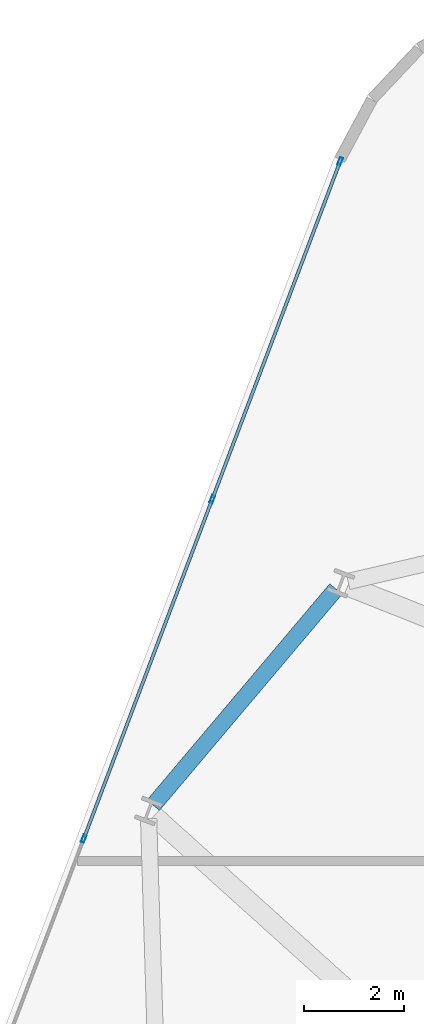
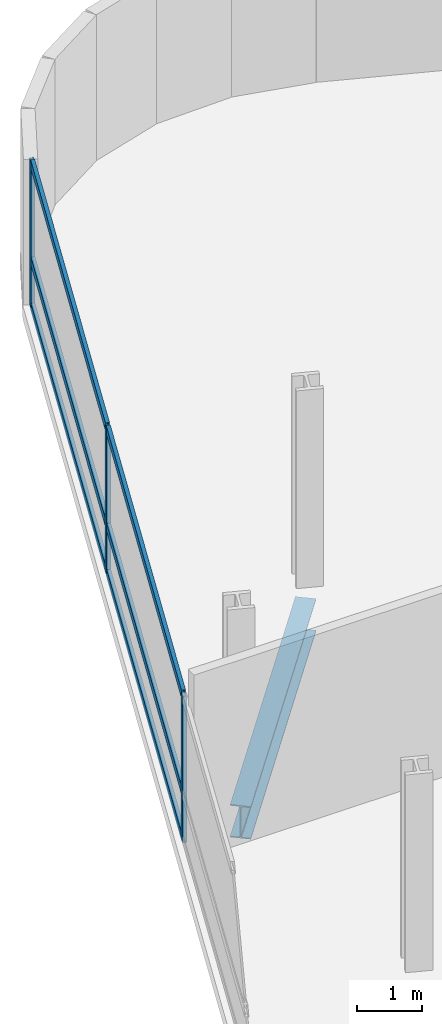
# One storey, part 8 of 24: 9 members, 1 beam, 1 element without a shape of its own.
"""IFC4 building model written with IfcOpenShell, lengths in metres."""

from ifc_helpers import new_model, si_unit, direction, frame, origin, origin_2d, place, context, subcontext, project, spatial, hollow_rectangle, i_section, extrude, material, layer, layer_set, material_profile, profile_set, type_object, element, aggregate, save


model = new_model("IFC4")

# Units and contexts
model_context = context("Model", 3, precision=1e-05, world=origin(), true_north=direction((0.0, 1.0)))
body_context = subcontext(model_context, "Body", "Model", "MODEL_VIEW")
ifc_project = project(units=[si_unit("LENGTHUNIT", "METRE"), si_unit("AREAUNIT", "SQUARE_METRE"), si_unit("VOLUMEUNIT", "CUBIC_METRE"), si_unit("PLANEANGLEUNIT", "RADIAN"), si_unit("MASSUNIT", "GRAM", prefix="KILO")], contexts=[model_context])

# Site, building, storey
site_placement = place(None, origin())
site = spatial("IfcSite", under=ifc_project, at=site_placement, CompositionType="ELEMENT")
building_placement = place(site_placement, origin())
building = spatial("IfcBuilding", under=site, at=building_placement, Name="Varnelok Gate Tower", CompositionType="ELEMENT")
storey_placement = place(building_placement, frame((0.0, 0.0, 94.699951171875)))
storey = spatial("IfcBuildingStorey", under=building, at=storey_placement, Name="L23", CompositionType="ELEMENT", Elevation=94.699951171875)

# Beam
ifc_material_1 = material(Name="Structural Steel ASTM A992 Grade 50", Category="steel")
ifc_material_profile_1 = material_profile(ifc_material_1, i_section(OverallWidth=0.323974609375, OverallDepth=0.611083984375, WebThickness=0.0126953125, FlangeThickness=0.01904296875, FilletRadius=0.01806640625, at=origin_2d()), Name="W24X104")
ifc_profile_set_1 = profile_set([ifc_material_profile_1], Name="Structural Steel ASTM A992 Grade 50")
beam_type = type_object("IfcBeamType", Name="BM-SPN-W24X104", PredefinedType="SPANDREL", material=ifc_profile_set_1)
beam_placement = place(storey_placement, frame((10.66650390625, 46.857666015625, -0.555419921875), z_axis=(-0.645376429405, -0.763864689829, 0.0), x_axis=(0.763864689829, -0.645376429405, 0.0)))
element("IfcBeam", 1, at=beam_placement, inside=storey, type_object=beam_type, Name="L23 Perimeter Spandrel Beam 14", PredefinedType="SPANDREL", context=body_context, shape_type="SweptSolid", body=[
    extrude(i_section(OverallWidth=0.323974609375, OverallDepth=0.611083984375, WebThickness=0.0126953125, FlangeThickness=0.01904296875, FilletRadius=0.01806640625, at=origin_2d()), origin(), (0.0, 0.0, 1.0), 5.64990234375),
])

# Curtain wall, members
ifc_material_2 = material(Name="Anodized Aluminum Alloy 6063-T6", Category="aluminium")
ifc_layer = layer(ifc_material_2, 0.179931640625)
ifc_layer_set = layer_set([ifc_layer], Name="Anodized Aluminum Alloy 6063-T6")
curtain_wall_type = type_object("IfcCurtainWallType", Name="CW3-HOTEL-VISION", PredefinedType="USERDEFINED", material=ifc_layer_set)
curtain_wall_placement = place(storey_placement, origin())
curtain_wall = element("IfcCurtainWall", 2, at=curtain_wall_placement, inside=storey, type_object=curtain_wall_type, Name="L23 West End Vision Curtain Wall", ObjectType="UNITISED CURTAIN WALL", PredefinedType="USERDEFINED")
ifc_material_profile_2 = material_profile(ifc_material_2, hollow_rectangle(XDim=0.06494140625, YDim=0.159912109375, WallThickness=0.00390625, at=origin_2d()), Name="ALU160X65X4")
ifc_profile_set_2 = profile_set([ifc_material_profile_2], Name="Anodized Aluminum Alloy 6063-T6")
member_type_1 = type_object("IfcMemberType", Name="CW-MULL-160", PredefinedType="MULLION", material=ifc_profile_set_2)
member_1_placement = place(storey_placement, frame((5.63525390625, 41.8779296875, 0.0), z_axis=(0.0, 0.0, 1.0), x_axis=(-0.935221323688, 0.354063660545, 0.0)))
member_1 = element("IfcMember", 3, at=member_1_placement, type_object=member_type_1, Name="CW3 mullion 4", PredefinedType="MULLION", context=body_context, shape_type="SweptSolid", body=[
    extrude(hollow_rectangle(XDim=0.06494140625, YDim=0.159912109375, WallThickness=0.00390625, at=origin_2d()), origin(), (0.0, 0.0, 1.0), 2.72998046875),
])
member_2_placement = place(storey_placement, frame((8.19873046875, 48.64892578125, 0.0), z_axis=(0.0, 0.0, 1.0), x_axis=(-0.935221323688, 0.354063660545, 0.0)))
member_2 = element("IfcMember", 4, at=member_2_placement, type_object=member_type_1, Name="CW3 mullion 5", PredefinedType="MULLION", context=body_context, shape_type="SweptSolid", body=[
    extrude(hollow_rectangle(XDim=0.06494140625, YDim=0.159912109375, WallThickness=0.00390625, at=origin_2d()), origin(), (0.0, 0.0, 1.0), 2.72998046875),
])
member_3_placement = place(storey_placement, frame((10.750732421875, 55.389404296875, 0.0), z_axis=(0.0, 0.0, 1.0), x_axis=(-0.935221323688, 0.354063660545, 0.0)))
member_3 = element("IfcMember", 5, at=member_3_placement, type_object=member_type_1, Name="CW3 mullion 6", PredefinedType="MULLION", context=body_context, shape_type="SweptSolid", body=[
    extrude(hollow_rectangle(XDim=0.06494140625, YDim=0.159912109375, WallThickness=0.00390625, at=origin_2d()), origin(), (0.0, 0.0, 1.0), 2.72998046875),
])
ifc_material_profile_3 = material_profile(ifc_material_2, hollow_rectangle(XDim=0.06494140625, YDim=0.159912109375, WallThickness=0.00390625, at=origin_2d()), Name="ALU160X65X4")
ifc_profile_set_3 = profile_set([ifc_material_profile_3], Name="Anodized Aluminum Alloy 6063-T6")
member_type_2 = type_object("IfcMemberType", Name="CW-TRAN-160", PredefinedType="USERDEFINED", material=ifc_profile_set_3)
member_4_placement = place(storey_placement, frame((5.64697265625, 41.908203125, 0.032470703125), z_axis=(0.354048963644, 0.935226887628, 0.0), x_axis=(-0.935226887628, 0.354048963644, 0.0)))
member_4 = element("IfcMember", 6, at=member_4_placement, type_object=member_type_2, Name="CW3 transom 4.1", ObjectType="TRANSOM", PredefinedType="USERDEFINED", context=body_context, shape_type="SweptSolid", body=[
    extrude(hollow_rectangle(XDim=0.06494140625, YDim=0.159912109375, WallThickness=0.00390625, at=origin_2d()), origin(), (0.0, 0.0, 1.0), 7.175048828125),
])
member_5_placement = place(storey_placement, frame((5.64697265625, 41.908203125, 0.900146484375), z_axis=(0.354048963644, 0.935226887628, 0.0), x_axis=(-0.935226887628, 0.354048963644, 0.0)))
member_5 = element("IfcMember", 7, at=member_5_placement, type_object=member_type_2, Name="CW3 transom 4.2", ObjectType="TRANSOM", PredefinedType="USERDEFINED", context=body_context, shape_type="SweptSolid", body=[
    extrude(hollow_rectangle(XDim=0.06494140625, YDim=0.159912109375, WallThickness=0.00390625, at=origin_2d()), origin(), (0.0, 0.0, 1.0), 7.175048828125),
])
member_6_placement = place(storey_placement, frame((5.64697265625, 41.908203125, 2.697509765625), z_axis=(0.354048963644, 0.935226887628, 0.0), x_axis=(-0.935226887628, 0.354048963644, 0.0)))
member_6 = element("IfcMember", 8, at=member_6_placement, type_object=member_type_2, Name="CW3 transom 4.3", ObjectType="TRANSOM", PredefinedType="USERDEFINED", context=body_context, shape_type="SweptSolid", body=[
    extrude(hollow_rectangle(XDim=0.06494140625, YDim=0.159912109375, WallThickness=0.00390625, at=origin_2d()), origin(), (0.0, 0.0, 1.0), 7.175048828125),
])
member_7_placement = place(storey_placement, frame((8.210205078125, 48.67919921875, 0.032470703125), z_axis=(0.354077146385, 0.935216217999, 0.0), x_axis=(-0.935216217999, 0.354077146385, 0.0)))
member_7 = element("IfcMember", 9, at=member_7_placement, type_object=member_type_2, Name="CW3 transom 5.1", ObjectType="TRANSOM", PredefinedType="USERDEFINED", context=body_context, shape_type="SweptSolid", body=[
    extrude(hollow_rectangle(XDim=0.06494140625, YDim=0.159912109375, WallThickness=0.00390625, at=origin_2d()), origin(), (0.0, 0.0, 1.0), 7.142578125),
])
member_8_placement = place(storey_placement, frame((8.210205078125, 48.67919921875, 0.900146484375), z_axis=(0.354077146385, 0.935216217999, 0.0), x_axis=(-0.935216217999, 0.354077146385, 0.0)))
member_8 = element("IfcMember", 10, at=member_8_placement, type_object=member_type_2, Name="CW3 transom 5.2", ObjectType="TRANSOM", PredefinedType="USERDEFINED", context=body_context, shape_type="SweptSolid", body=[
    extrude(hollow_rectangle(XDim=0.06494140625, YDim=0.159912109375, WallThickness=0.00390625, at=origin_2d()), origin(), (0.0, 0.0, 1.0), 7.142578125),
])
member_9_placement = place(storey_placement, frame((8.210205078125, 48.67919921875, 2.697509765625), z_axis=(0.354077146385, 0.935216217999, 0.0), x_axis=(-0.935216217999, 0.354077146385, 0.0)))
member_9 = element("IfcMember", 11, at=member_9_placement, type_object=member_type_2, Name="CW3 transom 5.3", ObjectType="TRANSOM", PredefinedType="USERDEFINED", context=body_context, shape_type="SweptSolid", body=[
    extrude(hollow_rectangle(XDim=0.06494140625, YDim=0.159912109375, WallThickness=0.00390625, at=origin_2d()), origin(), (0.0, 0.0, 1.0), 7.142578125),
])
aggregate(curtain_wall, [member_1, member_2, member_3, member_4, member_5, member_6, member_7, member_8, member_9])

save(model, "model.ifc")
